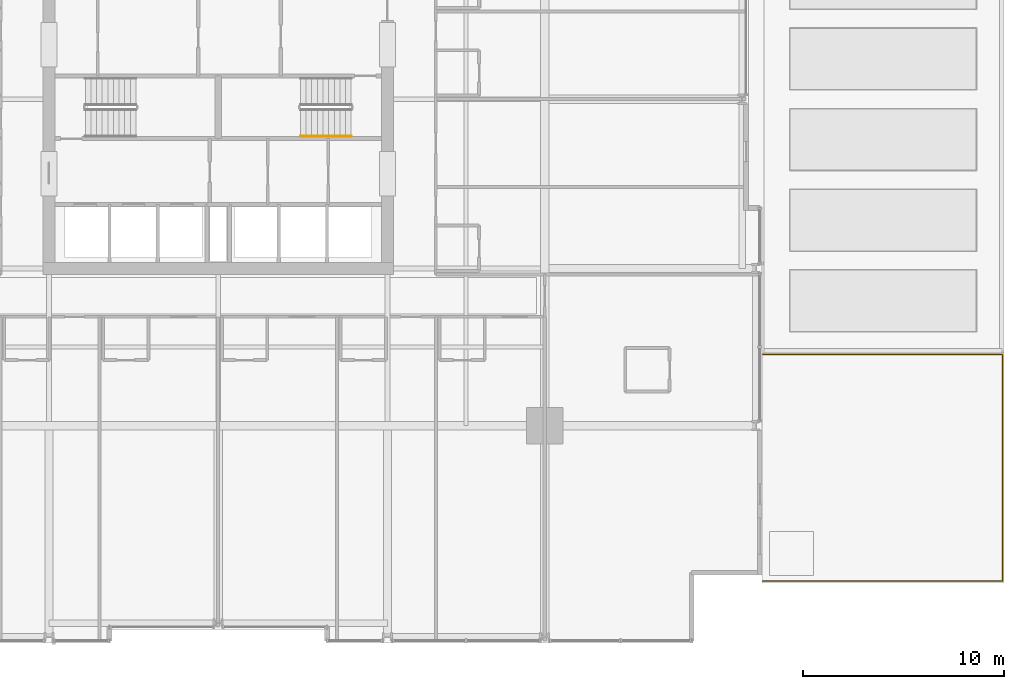
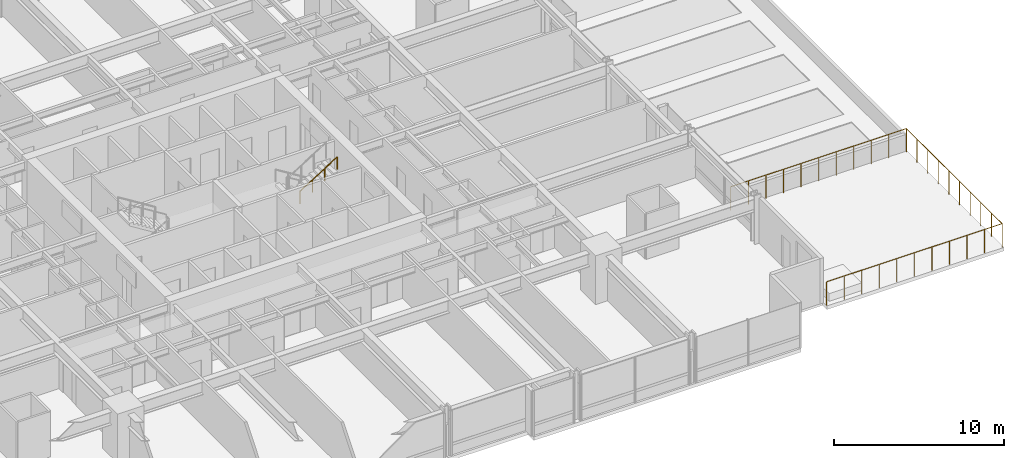
# One storey, part 40 of 42: 2 railings.
"""IFC4 building model written with IfcOpenShell, lengths in metres."""

from ifc_helpers import new_model, si_unit, direction, frame, origin, origin_2d, place, context, subcontext, project, spatial, circle, extrude, material, type_object, element, save


model = new_model("IFC4")

# Units and contexts
model_context = context("Model", 3, precision=1e-05, world=origin(), true_north=direction((0.0, 1.0)))
body_context = subcontext(model_context, "Body", "Model", "MODEL_VIEW")
ifc_project = project(units=[si_unit("LENGTHUNIT", "METRE"), si_unit("AREAUNIT", "SQUARE_METRE"), si_unit("VOLUMEUNIT", "CUBIC_METRE"), si_unit("PLANEANGLEUNIT", "RADIAN"), si_unit("MASSUNIT", "GRAM", prefix="KILO")], contexts=[model_context])

# Site, building, storey
site_placement = place(None, origin())
site = spatial("IfcSite", under=ifc_project, at=site_placement, CompositionType="ELEMENT")
building_placement = place(site_placement, origin())
building = spatial("IfcBuilding", under=site, at=building_placement, Name="Drelvath Grand Hotel", CompositionType="ELEMENT")
storey_placement = place(building_placement, frame((0.0, 0.0, 33.199951171875)))
storey = spatial("IfcBuildingStorey", under=building, at=storey_placement, Name="L06", CompositionType="ELEMENT", Elevation=33.199951171875)

# Railings
ifc_material_1 = material(Name="Painted Steel S275", Category="steel")
railing_type_1 = type_object("IfcRailingType", Name="Core Stair Wall Handrail 900", PredefinedType="HANDRAIL", material=ifc_material_1)
railing_1_placement = place(storey_placement, frame((4.080078125, 25.169921875, 1.925048828125)))
element("IfcRailing", 1, at=railing_1_placement, inside=storey, type_object=railing_type_1, Name="L06 ST-2 stair handrail 2", PredefinedType="HANDRAIL", context=body_context, shape_type="SweptSolid", body=[
    extrude(circle(Radius=0.02392578125, at=origin_2d()), frame((0.0, 0.0, 0.8759765625), z_axis=(0.848007534815, 0.0, 0.529984170421), x_axis=(0.0, 1.0, 0.0)), (0.0, 0.0, 1.0), 2.9716796875),
    extrude(circle(Radius=0.02099609375, at=origin_2d()), origin(), (0.0, 0.0, 1.0), 0.851806640625),
    extrude(circle(Radius=0.02099609375, at=origin_2d()), frame((0.840087890625, 0.0, 0.52490234375)), (0.0, 0.0, 1.0), 0.851806640625),
    extrude(circle(Radius=0.02099609375, at=origin_2d()), frame((1.679931640625, 0.0, 1.050048828125)), (0.0, 0.0, 1.0), 0.851806640625),
    extrude(circle(Radius=0.02099609375, at=origin_2d()), frame((2.52001953125, 0.0, 1.574951171875)), (0.0, 0.0, 1.0), 0.851806640625),
])
ifc_material_2 = material(Name="Anodised Aluminium and Laminated Glass Balustrade", Category="aluminium")
railing_type_2 = type_object("IfcRailingType", Name="Raised Planter Edge Balustrade 1700", PredefinedType="BALUSTRADE", material=ifc_material_2)
railing_2_placement = place(storey_placement, frame((27.02001953125, 3.080078125, 0.0)))
element("IfcRailing", 2, at=railing_2_placement, inside=storey, type_object=railing_type_2, Name="L06 Setback Terrace Perimeter Balustrade 1", PredefinedType="BALUSTRADE", context=body_context, shape_type="SweptSolid", body=[
    extrude(circle(Radius=0.02392578125, at=origin_2d()), frame((0.0, 0.0, 1.67578125), z_axis=(1.0, 0.0, 0.0), x_axis=(0.0, 1.0, 0.0)), (0.0, 0.0, 1.0), 11.89990234375),
    extrude(circle(Radius=0.02392578125, at=origin_2d()), frame((11.89990234375, 0.0, 1.67578125), z_axis=(0.0, 1.0, 0.0), x_axis=(-1.0, 0.0, 0.0)), (0.0, 0.0, 1.0), 11.239990234375),
    extrude(circle(Radius=0.02392578125, at=origin_2d()), frame((11.89990234375, 11.239990234375, 1.67578125), z_axis=(-1.0, 0.0, 0.0), x_axis=(0.0, -1.0, 0.0)), (0.0, 0.0, 1.0), 11.89990234375),
    extrude(circle(Radius=0.02099609375, at=origin_2d()), origin(), (0.0, 0.0, 1.0), 1.65185546875),
    extrude(circle(Radius=0.02099609375, at=origin_2d()), frame((1.18994140625, 0.0, 0.0)), (0.0, 0.0, 1.0), 1.65185546875),
    extrude(circle(Radius=0.02099609375, at=origin_2d()), frame((2.3798828125, 0.0, 0.0)), (0.0, 0.0, 1.0), 1.65185546875),
    extrude(circle(Radius=0.02099609375, at=origin_2d()), frame((3.570068359375, 0.0, 0.0)), (0.0, 0.0, 1.0), 1.65185546875),
    extrude(circle(Radius=0.02099609375, at=origin_2d()), frame((4.760009765625, 0.0, 0.0)), (0.0, 0.0, 1.0), 1.65185546875),
    extrude(circle(Radius=0.02099609375, at=origin_2d()), frame((5.949951171875, 0.0, 0.0)), (0.0, 0.0, 1.0), 1.65185546875),
    extrude(circle(Radius=0.02099609375, at=origin_2d()), frame((7.139892578125, 0.0, 0.0)), (0.0, 0.0, 1.0), 1.65185546875),
    extrude(circle(Radius=0.02099609375, at=origin_2d()), frame((8.329833984375, 0.0, 0.0)), (0.0, 0.0, 1.0), 1.65185546875),
    extrude(circle(Radius=0.02099609375, at=origin_2d()), frame((9.52001953125, 0.0, 0.0)), (0.0, 0.0, 1.0), 1.65185546875),
    extrude(circle(Radius=0.02099609375, at=origin_2d()), frame((10.7099609375, 0.0, 0.0)), (0.0, 0.0, 1.0), 1.65185546875),
    extrude(circle(Radius=0.02099609375, at=origin_2d()), frame((11.89990234375, 0.0, 0.0)), (0.0, 0.0, 1.0), 1.65185546875),
    extrude(circle(Radius=0.02099609375, at=origin_2d()), frame((11.89990234375, 1.248779296875, 0.0)), (0.0, 0.0, 1.0), 1.65185546875),
    extrude(circle(Radius=0.02099609375, at=origin_2d()), frame((11.89990234375, 2.497802734375, 0.0)), (0.0, 0.0, 1.0), 1.65185546875),
    extrude(circle(Radius=0.02099609375, at=origin_2d()), frame((11.89990234375, 3.74658203125, 0.0)), (0.0, 0.0, 1.0), 1.65185546875),
    extrude(circle(Radius=0.02099609375, at=origin_2d()), frame((11.89990234375, 4.99560546875, 0.0)), (0.0, 0.0, 1.0), 1.65185546875),
    extrude(circle(Radius=0.02099609375, at=origin_2d()), frame((11.89990234375, 6.244384765625, 0.0)), (0.0, 0.0, 1.0), 1.65185546875),
    extrude(circle(Radius=0.02099609375, at=origin_2d()), frame((11.89990234375, 7.493408203125, 0.0)), (0.0, 0.0, 1.0), 1.65185546875),
    extrude(circle(Radius=0.02099609375, at=origin_2d()), frame((11.89990234375, 8.7421875, 0.0)), (0.0, 0.0, 1.0), 1.65185546875),
    extrude(circle(Radius=0.02099609375, at=origin_2d()), frame((11.89990234375, 9.9912109375, 0.0)), (0.0, 0.0, 1.0), 1.65185546875),
    extrude(circle(Radius=0.02099609375, at=origin_2d()), frame((11.89990234375, 11.239990234375, 0.0)), (0.0, 0.0, 1.0), 1.65185546875),
    extrude(circle(Radius=0.02099609375, at=origin_2d()), frame((10.7099609375, 11.239990234375, 0.0)), (0.0, 0.0, 1.0), 1.65185546875),
    extrude(circle(Radius=0.02099609375, at=origin_2d()), frame((9.52001953125, 11.239990234375, 0.0)), (0.0, 0.0, 1.0), 1.65185546875),
    extrude(circle(Radius=0.02099609375, at=origin_2d()), frame((8.329833984375, 11.239990234375, 0.0)), (0.0, 0.0, 1.0), 1.65185546875),
    extrude(circle(Radius=0.02099609375, at=origin_2d()), frame((7.139892578125, 11.239990234375, 0.0)), (0.0, 0.0, 1.0), 1.65185546875),
    extrude(circle(Radius=0.02099609375, at=origin_2d()), frame((5.949951171875, 11.239990234375, 0.0)), (0.0, 0.0, 1.0), 1.65185546875),
    extrude(circle(Radius=0.02099609375, at=origin_2d()), frame((4.760009765625, 11.239990234375, 0.0)), (0.0, 0.0, 1.0), 1.65185546875),
    extrude(circle(Radius=0.02099609375, at=origin_2d()), frame((3.570068359375, 11.239990234375, 0.0)), (0.0, 0.0, 1.0), 1.65185546875),
    extrude(circle(Radius=0.02099609375, at=origin_2d()), frame((2.3798828125, 11.239990234375, 0.0)), (0.0, 0.0, 1.0), 1.65185546875),
    extrude(circle(Radius=0.02099609375, at=origin_2d()), frame((1.18994140625, 11.239990234375, 0.0)), (0.0, 0.0, 1.0), 1.65185546875),
    extrude(circle(Radius=0.02099609375, at=origin_2d()), frame((0.0, 11.239990234375, 0.0)), (0.0, 0.0, 1.0), 1.65185546875),
])

save(model, "model.ifc")
